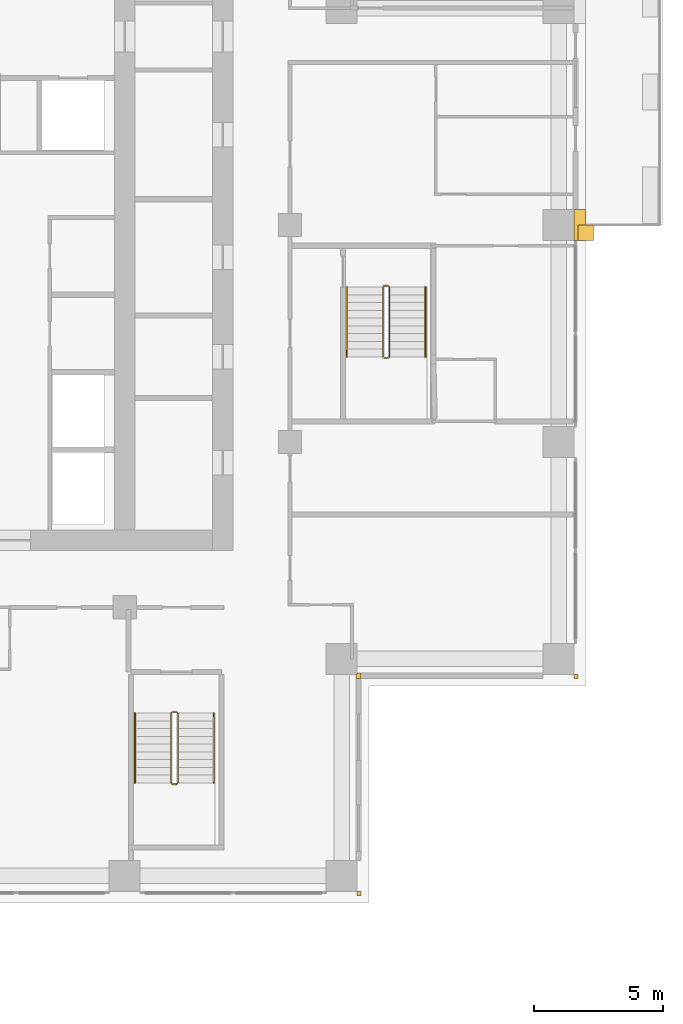
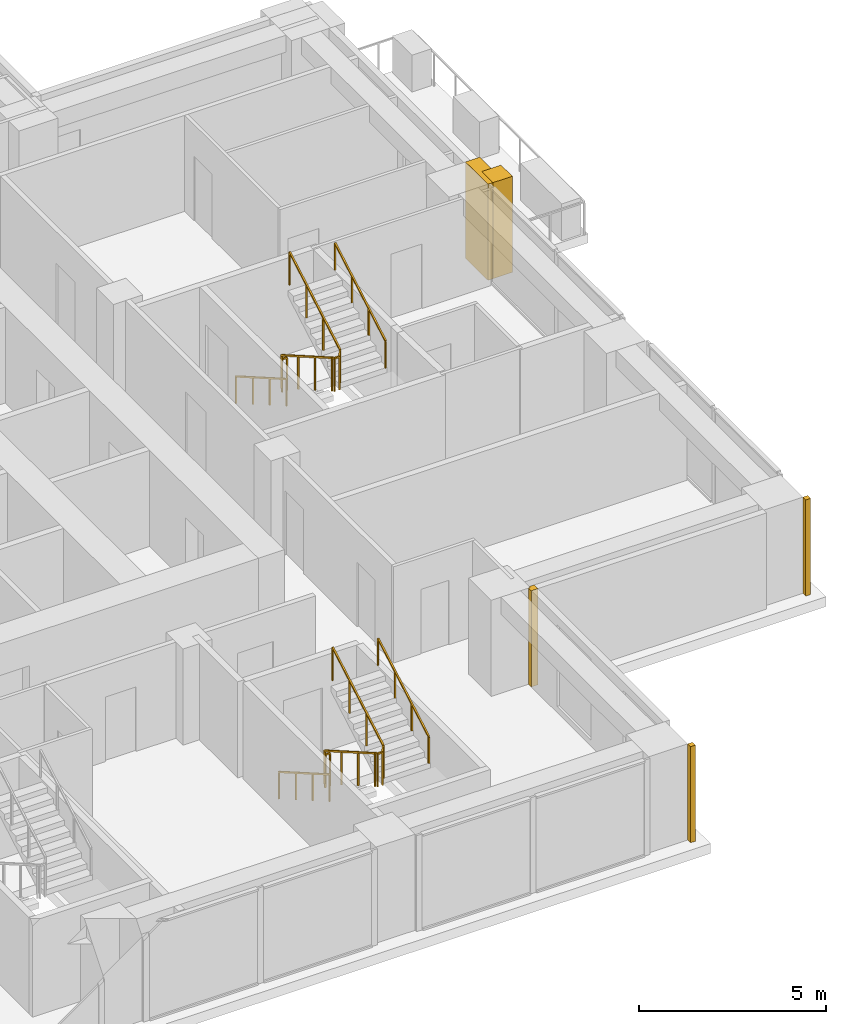
# One storey, part 15 of 17: 6 railings, 5 coverings.
"""IFC4 building model written with IfcOpenShell, lengths in metres."""

from ifc_helpers import new_model, si_unit, direction, frame, origin, origin_2d, place, context, subcontext, project, spatial, polyline, rectangle, outline, extrude, material, type_object, element, save


model = new_model("IFC4")

# Units and contexts
model_context = context("Model", 3, precision=1e-05, world=origin(), true_north=direction((0.0, 1.0)))
body_context = subcontext(model_context, "Body", "Model", "MODEL_VIEW")
ifc_project = project(units=[si_unit("LENGTHUNIT", "METRE"), si_unit("AREAUNIT", "SQUARE_METRE"), si_unit("VOLUMEUNIT", "CUBIC_METRE"), si_unit("PLANEANGLEUNIT", "RADIAN"), si_unit("MASSUNIT", "GRAM", prefix="KILO")], contexts=[model_context])

# Site, building, storey
site_placement = place(None, origin())
site = spatial("IfcSite", under=ifc_project, at=site_placement, CompositionType="ELEMENT")
building_placement = place(site_placement, origin())
building = spatial("IfcBuilding", under=site, at=building_placement, Name="Vermilion Ogive Tower", CompositionType="ELEMENT")
storey_placement = place(building_placement, frame((0.0, 0.0, 83.85009765625)))
storey = spatial("IfcBuildingStorey", under=building, at=storey_placement, Name="L20", CompositionType="ELEMENT", Elevation=83.85009765625)

# Railings
ifc_material_1 = material(Name="Steel S355 painted", Category="steel")
railing_type_1 = type_object("IfcRailingType", Name="Stair guard 1100", PredefinedType="GUARDRAIL", material=ifc_material_1)
railing_1_placement = place(storey_placement, frame((10.39990234375, -14.64990234375, 0.0)))
element("IfcRailing", 1, at=railing_1_placement, inside=storey, type_object=railing_type_1, Name="L20 ST5 stair guard 4", PredefinedType="GUARDRAIL", context=body_context, shape_type="SweptSolid", body=[
    extrude(rectangle(XDim=0.048095703125, YDim=0.048095703125, at=origin_2d()), frame((0.0, 0.0, 1.076171875), z_axis=(-1.0, 0.0, 0.0), x_axis=(0.0, -1.0, 0.0)), (0.0, 0.0, 1.0), 0.14990234375),
    extrude(rectangle(XDim=0.048095703125, YDim=0.048095703125, at=origin_2d()), frame((-0.14990234375, 0.0, 1.076171875), z_axis=(-0.268603158521, -0.268603158521, 0.925043072762), x_axis=(0.707106781187, -0.707106781187, 0.0)), (0.0, 0.0, 1.0), 0.186279296875),
    extrude(rectangle(XDim=0.048095703125, YDim=0.048095703125, at=origin_2d()), frame((-0.199951171875, -0.050048828125, 1.24853515625), z_axis=(0.0, -0.866903762492, 0.498475542607), x_axis=(1.0, 0.0, 0.0)), (0.0, 0.0, 1.0), 3.114501953125),
    extrude(rectangle(XDim=0.048095703125, YDim=0.048095703125, at=origin_2d()), frame((-0.199951171875, -2.75, 2.80078125), z_axis=(0.707106781187, -0.707106781187, 0.0), x_axis=(0.707106781187, 0.707106781187, 0.0)), (0.0, 0.0, 1.0), 0.07080078125),
    extrude(rectangle(XDim=0.048095703125, YDim=0.048095703125, at=origin_2d()), frame((-0.14990234375, -2.800048828125, 2.80078125), z_axis=(1.0, 0.0, 0.0), x_axis=(0.0, 1.0, 0.0)), (0.0, 0.0, 1.0), 0.14990234375),
    extrude(rectangle(XDim=0.048095703125, YDim=0.048095703125, at=origin_2d()), frame((0.0, -2.800048828125, 2.80078125), z_axis=(0.268277960024, 0.268277960024, 0.925231793839), x_axis=(-0.707106781187, 0.707106781187, 0.0)), (0.0, 0.0, 1.0), 0.1865234375),
    extrude(rectangle(XDim=0.048095703125, YDim=0.048095703125, at=origin_2d()), frame((0.050048828125, -2.75, 2.9736328125), z_axis=(0.0, 0.866903762492, 0.498475542607), x_axis=(-1.0, 0.0, 0.0)), (0.0, 0.0, 1.0), 3.114501953125),
    extrude(rectangle(XDim=0.0419921875, YDim=0.0419921875, at=origin_2d()), origin(), (0.0, 0.0, 1.0), 1.052001953125),
    extrude(rectangle(XDim=0.0419921875, YDim=0.0419921875, at=origin_2d()), frame((-0.14990234375, 0.0, 0.0)), (0.0, 0.0, 1.0), 1.052001953125),
    extrude(rectangle(XDim=0.0419921875, YDim=0.0419921875, at=origin_2d()), frame((-0.199951171875, -0.050048828125, 0.17236328125)), (0.0, 0.0, 1.0), 1.052001953125),
    extrude(rectangle(XDim=0.0419921875, YDim=0.0419921875, at=origin_2d()), frame((-0.199951171875, -0.949951171875, 0.68994140625)), (0.0, 0.0, 1.0), 1.052001953125),
    extrude(rectangle(XDim=0.0419921875, YDim=0.0419921875, at=origin_2d()), frame((-0.199951171875, -1.85009765625, 1.207275390625)), (0.0, 0.0, 1.0), 1.052001953125),
    extrude(rectangle(XDim=0.0419921875, YDim=0.0419921875, at=origin_2d()), frame((-0.199951171875, -2.75, 1.724853515625)), (0.0, 0.0, 1.0), 1.052001953125),
    extrude(rectangle(XDim=0.0419921875, YDim=0.0419921875, at=origin_2d()), frame((-0.14990234375, -2.800048828125, 1.724853515625)), (0.0, 0.0, 1.0), 1.052001953125),
    extrude(rectangle(XDim=0.0419921875, YDim=0.0419921875, at=origin_2d()), frame((0.0, -2.800048828125, 1.724853515625)), (0.0, 0.0, 1.0), 1.052001953125),
    extrude(rectangle(XDim=0.0419921875, YDim=0.0419921875, at=origin_2d()), frame((0.050048828125, -2.75, 1.8974609375)), (0.0, 0.0, 1.0), 1.052001953125),
    extrude(rectangle(XDim=0.0419921875, YDim=0.0419921875, at=origin_2d()), frame((0.050048828125, -1.85009765625, 2.4150390625)), (0.0, 0.0, 1.0), 1.052001953125),
    extrude(rectangle(XDim=0.0419921875, YDim=0.0419921875, at=origin_2d()), frame((0.050048828125, -0.949951171875, 2.932373046875)), (0.0, 0.0, 1.0), 1.052001953125),
    extrude(rectangle(XDim=0.0419921875, YDim=0.0419921875, at=origin_2d()), frame((0.050048828125, -0.050048828125, 3.449951171875)), (0.0, 0.0, 1.0), 1.052001953125),
])
railing_2_placement = place(storey_placement, frame((18.60009765625, 1.85009765625, 0.0)))
element("IfcRailing", 2, at=railing_2_placement, inside=storey, type_object=railing_type_1, Name="L20 ST8 stair guard 4", PredefinedType="GUARDRAIL", context=body_context, shape_type="SweptSolid", body=[
    extrude(rectangle(XDim=0.048095703125, YDim=0.048095703125, at=origin_2d()), frame((0.0, 0.0, 1.076171875), z_axis=(-1.0, 0.0, 0.0), x_axis=(0.0, -1.0, 0.0)), (0.0, 0.0, 1.0), 0.150146484375),
    extrude(rectangle(XDim=0.048095703125, YDim=0.048095703125, at=origin_2d()), frame((-0.150146484375, 0.0, 1.076171875), z_axis=(-0.268603158521, -0.268603158521, 0.925043072762), x_axis=(0.707106781187, -0.707106781187, 0.0)), (0.0, 0.0, 1.0), 0.186279296875),
    extrude(rectangle(XDim=0.048095703125, YDim=0.048095703125, at=origin_2d()), frame((-0.2001953125, -0.050048828125, 1.24853515625), z_axis=(0.0, -0.866903762492, 0.498475542607), x_axis=(1.0, 0.0, 0.0)), (0.0, 0.0, 1.0), 3.114501953125),
    extrude(rectangle(XDim=0.048095703125, YDim=0.048095703125, at=origin_2d()), frame((-0.2001953125, -2.75, 2.80078125), z_axis=(0.707106781187, -0.707106781187, 0.0), x_axis=(0.707106781187, 0.707106781187, 0.0)), (0.0, 0.0, 1.0), 0.07080078125),
    extrude(rectangle(XDim=0.048095703125, YDim=0.048095703125, at=origin_2d()), frame((-0.150146484375, -2.800048828125, 2.80078125), z_axis=(1.0, 0.0, 0.0), x_axis=(0.0, 1.0, 0.0)), (0.0, 0.0, 1.0), 0.150146484375),
    extrude(rectangle(XDim=0.048095703125, YDim=0.048095703125, at=origin_2d()), frame((0.0, -2.800048828125, 2.80078125), z_axis=(0.267062837333, 0.268371968888, 0.925556009775), x_axis=(-0.708833529934, 0.705375805398, 0.0)), (0.0, 0.0, 1.0), 0.1865234375),
    extrude(rectangle(XDim=0.048095703125, YDim=0.048095703125, at=origin_2d()), frame((0.0498046875, -2.75, 2.9736328125), z_axis=(0.0, 0.866903762492, 0.498475542607), x_axis=(-1.0, 0.0, 0.0)), (0.0, 0.0, 1.0), 3.114501953125),
    extrude(rectangle(XDim=0.0419921875, YDim=0.0419921875, at=origin_2d()), origin(), (0.0, 0.0, 1.0), 1.052001953125),
    extrude(rectangle(XDim=0.0419921875, YDim=0.0419921875, at=origin_2d()), frame((-0.150146484375, 0.0, 0.0)), (0.0, 0.0, 1.0), 1.052001953125),
    extrude(rectangle(XDim=0.0419921875, YDim=0.0419921875, at=origin_2d()), frame((-0.2001953125, -0.050048828125, 0.17236328125)), (0.0, 0.0, 1.0), 1.052001953125),
    extrude(rectangle(XDim=0.0419921875, YDim=0.0419921875, at=origin_2d()), frame((-0.2001953125, -0.949951171875, 0.68994140625)), (0.0, 0.0, 1.0), 1.052001953125),
    extrude(rectangle(XDim=0.0419921875, YDim=0.0419921875, at=origin_2d()), frame((-0.2001953125, -1.85009765625, 1.207275390625)), (0.0, 0.0, 1.0), 1.052001953125),
    extrude(rectangle(XDim=0.0419921875, YDim=0.0419921875, at=origin_2d()), frame((-0.2001953125, -2.75, 1.724853515625)), (0.0, 0.0, 1.0), 1.052001953125),
    extrude(rectangle(XDim=0.0419921875, YDim=0.0419921875, at=origin_2d()), frame((-0.150146484375, -2.800048828125, 1.724853515625)), (0.0, 0.0, 1.0), 1.052001953125),
    extrude(rectangle(XDim=0.0419921875, YDim=0.0419921875, at=origin_2d()), frame((0.0, -2.800048828125, 1.724853515625)), (0.0, 0.0, 1.0), 1.052001953125),
    extrude(rectangle(XDim=0.0419921875, YDim=0.0419921875, at=origin_2d()), frame((0.0498046875, -2.75, 1.8974609375)), (0.0, 0.0, 1.0), 1.052001953125),
    extrude(rectangle(XDim=0.0419921875, YDim=0.0419921875, at=origin_2d()), frame((0.0498046875, -1.85009765625, 2.4150390625)), (0.0, 0.0, 1.0), 1.052001953125),
    extrude(rectangle(XDim=0.0419921875, YDim=0.0419921875, at=origin_2d()), frame((0.0498046875, -0.949951171875, 2.932373046875)), (0.0, 0.0, 1.0), 1.052001953125),
    extrude(rectangle(XDim=0.0419921875, YDim=0.0419921875, at=origin_2d()), frame((0.0498046875, -0.050048828125, 3.449951171875)), (0.0, 0.0, 1.0), 1.052001953125),
])
ifc_material_2 = material(Name="Stainless steel", Category="steel")
railing_type_2 = type_object("IfcRailingType", Name="Stair handrail 900", PredefinedType="HANDRAIL", material=ifc_material_2)
railing_3_placement = place(storey_placement, frame((8.800048828125, -14.699951171875, 0.17236328125)))
element("IfcRailing", 3, at=railing_3_placement, inside=storey, type_object=railing_type_2, Name="L20 ST5 stair handrail 1", PredefinedType="HANDRAIL", context=body_context, shape_type="SweptSolid", body=[
    extrude(rectangle(XDim=0.048095703125, YDim=0.048095703125, at=origin_2d()), frame((0.0, 0.0, 0.8759765625), z_axis=(0.0, -0.866903762492, 0.498475542607), x_axis=(1.0, 0.0, 0.0)), (0.0, 0.0, 1.0), 3.114501953125),
    extrude(rectangle(XDim=0.0419921875, YDim=0.0419921875, at=origin_2d()), origin(), (0.0, 0.0, 1.0), 0.851806640625),
    extrude(rectangle(XDim=0.0419921875, YDim=0.0419921875, at=origin_2d()), frame((0.0, -0.89990234375, 0.517578125)), (0.0, 0.0, 1.0), 0.851806640625),
    extrude(rectangle(XDim=0.0419921875, YDim=0.0419921875, at=origin_2d()), frame((0.0, -1.800048828125, 1.034912109375)), (0.0, 0.0, 1.0), 0.851806640625),
    extrude(rectangle(XDim=0.0419921875, YDim=0.0419921875, at=origin_2d()), frame((0.0, -2.699951171875, 1.552490234375)), (0.0, 0.0, 1.0), 0.851806640625),
])
railing_4_placement = place(storey_placement, frame((11.85009765625, -17.39990234375, 1.8974609375)))
element("IfcRailing", 4, at=railing_4_placement, inside=storey, type_object=railing_type_2, Name="L20 ST5 stair handrail 2", PredefinedType="HANDRAIL", context=body_context, shape_type="SweptSolid", body=[
    extrude(rectangle(XDim=0.048095703125, YDim=0.048095703125, at=origin_2d()), frame((0.0, 0.0, 0.8759765625), z_axis=(0.0, 0.866903762492, 0.498475542607), x_axis=(-1.0, 0.0, 0.0)), (0.0, 0.0, 1.0), 3.114501953125),
    extrude(rectangle(XDim=0.0419921875, YDim=0.0419921875, at=origin_2d()), origin(), (0.0, 0.0, 1.0), 0.851806640625),
    extrude(rectangle(XDim=0.0419921875, YDim=0.0419921875, at=origin_2d()), frame((0.0, 0.89990234375, 0.517578125)), (0.0, 0.0, 1.0), 0.851806640625),
    extrude(rectangle(XDim=0.0419921875, YDim=0.0419921875, at=origin_2d()), frame((0.0, 1.800048828125, 1.034912109375)), (0.0, 0.0, 1.0), 0.851806640625),
    extrude(rectangle(XDim=0.0419921875, YDim=0.0419921875, at=origin_2d()), frame((0.0, 2.699951171875, 1.552490234375)), (0.0, 0.0, 1.0), 0.851806640625),
])
railing_5_placement = place(storey_placement, frame((17.0, 1.800048828125, 0.17236328125)))
element("IfcRailing", 5, at=railing_5_placement, inside=storey, type_object=railing_type_2, Name="L20 ST8 stair handrail 1", PredefinedType="HANDRAIL", context=body_context, shape_type="SweptSolid", body=[
    extrude(rectangle(XDim=0.048095703125, YDim=0.048095703125, at=origin_2d()), frame((0.0, 0.0, 0.8759765625), z_axis=(0.0, -0.866903762492, 0.498475542607), x_axis=(1.0, 0.0, 0.0)), (0.0, 0.0, 1.0), 3.114501953125),
    extrude(rectangle(XDim=0.0419921875, YDim=0.0419921875, at=origin_2d()), origin(), (0.0, 0.0, 1.0), 0.851806640625),
    extrude(rectangle(XDim=0.0419921875, YDim=0.0419921875, at=origin_2d()), frame((0.0, -0.89990234375, 0.517578125)), (0.0, 0.0, 1.0), 0.851806640625),
    extrude(rectangle(XDim=0.0419921875, YDim=0.0419921875, at=origin_2d()), frame((0.0, -1.800048828125, 1.034912109375)), (0.0, 0.0, 1.0), 0.851806640625),
    extrude(rectangle(XDim=0.0419921875, YDim=0.0419921875, at=origin_2d()), frame((0.0, -2.699951171875, 1.552490234375)), (0.0, 0.0, 1.0), 0.851806640625),
])
railing_6_placement = place(storey_placement, frame((20.050048828125, -0.89990234375, 1.8974609375)))
element("IfcRailing", 6, at=railing_6_placement, inside=storey, type_object=railing_type_2, Name="L20 ST8 stair handrail 2", PredefinedType="HANDRAIL", context=body_context, shape_type="SweptSolid", body=[
    extrude(rectangle(XDim=0.048095703125, YDim=0.048095703125, at=origin_2d()), frame((0.0, 0.0, 0.8759765625), z_axis=(0.0, 0.866903762492, 0.498475542607), x_axis=(-1.0, 0.0, 0.0)), (0.0, 0.0, 1.0), 3.114501953125),
    extrude(rectangle(XDim=0.0419921875, YDim=0.0419921875, at=origin_2d()), origin(), (0.0, 0.0, 1.0), 0.851806640625),
    extrude(rectangle(XDim=0.0419921875, YDim=0.0419921875, at=origin_2d()), frame((0.0, 0.89990234375, 0.517578125)), (0.0, 0.0, 1.0), 0.851806640625),
    extrude(rectangle(XDim=0.0419921875, YDim=0.0419921875, at=origin_2d()), frame((0.0, 1.800048828125, 1.034912109375)), (0.0, 0.0, 1.0), 0.851806640625),
    extrude(rectangle(XDim=0.0419921875, YDim=0.0419921875, at=origin_2d()), frame((0.0, 2.699951171875, 1.552490234375)), (0.0, 0.0, 1.0), 0.851806640625),
])

# Coverings
ifc_material_3 = material(Name="Stone cladding", Category="masonry")
covering_type_1 = type_object("IfcCoveringType", Name="Stone corner buttress", PredefinedType="CLADDING", material=ifc_material_3)
covering_1_placement = place(storey_placement, origin())
element("IfcCovering", 7, at=covering_1_placement, inside=storey, type_object=covering_type_1, Name="Stone crease pier EK", PredefinedType="CLADDING", context=body_context, shape_type="SweptSolid", body=[
    extrude(outline(polyline([(26.550048828125, 3.60009765625), (26.550048828125, 4.199951171875), (25.949951171875, 4.199951171875), (25.949951171875, 3.60009765625), (26.550048828125, 3.60009765625)])), origin(), (0.0, 0.0, 1.0), 3.1298828125),
])
ifc_material_4 = material(Name="Stone cladding", Category="masonry")
covering_type_2 = type_object("IfcCoveringType", Name="Stone pier", PredefinedType="CLADDING", material=ifc_material_4)
covering_2_placement = place(storey_placement, origin())
element("IfcCovering", 8, at=covering_2_placement, inside=storey, type_object=covering_type_2, Name="Stone corner pier SE1", PredefinedType="CLADDING", context=body_context, shape_type="SweptSolid", body=[
    extrude(outline(polyline([(17.39990234375, -21.75), (17.39990234375, -21.60009765625), (17.39990234375, -21.60009765625), (17.550048828125, -21.60009765625), (17.550048828125, -21.75), (17.39990234375, -21.75)])), origin(), (0.0, 0.0, 1.0), 3.1298828125),
])
covering_3_placement = place(storey_placement, origin())
element("IfcCovering", 9, at=covering_3_placement, inside=storey, type_object=covering_type_2, Name="Stone corner pier X1E1", PredefinedType="CLADDING", context=body_context, shape_type="SweptSolid", body=[
    extrude(outline(polyline([(17.35009765625, -13.199951171875), (17.39990234375, -13.199951171875), (17.39990234375, -13.14990234375), (17.550048828125, -13.14990234375), (17.550048828125, -13.35009765625), (17.35009765625, -13.35009765625), (17.35009765625, -13.199951171875)])), origin(), (0.0, 0.0, 1.0), 3.1298828125),
])
covering_4_placement = place(storey_placement, origin())
element("IfcCovering", 10, at=covering_4_placement, inside=storey, type_object=covering_type_2, Name="Stone corner pier X2E1", PredefinedType="CLADDING", context=body_context, shape_type="SweptSolid", body=[
    extrude(outline(polyline([(25.800048828125, -13.35009765625), (25.800048828125, -13.199951171875), (25.949951171875, -13.199951171875), (25.949951171875, -13.35009765625), (25.800048828125, -13.35009765625)])), origin(), (0.0, 0.0, 1.0), 3.1298828125),
])
covering_5_placement = place(storey_placement, origin())
element("IfcCovering", 11, at=covering_5_placement, inside=storey, type_object=covering_type_2, Name="Stone pier P+0252+042", PredefinedType="CLADDING", context=body_context, shape_type="SweptSolid", body=[
    extrude(outline(polyline([(25.800048828125, 4.800048828125), (25.800048828125, 4.800048828125), (26.25, 4.800048828125), (26.25, 4.199951171875), (25.949951171875, 4.199951171875), (25.949951171875, 3.60009765625), (26.25, 3.60009765625), (26.25, 3.60009765625), (25.800048828125, 3.60009765625), (25.800048828125, 3.60009765625), (25.800048828125, 4.800048828125)])), origin(), (0.0, 0.0, 1.0), 3.1298828125),
])

save(model, "model.ifc")
